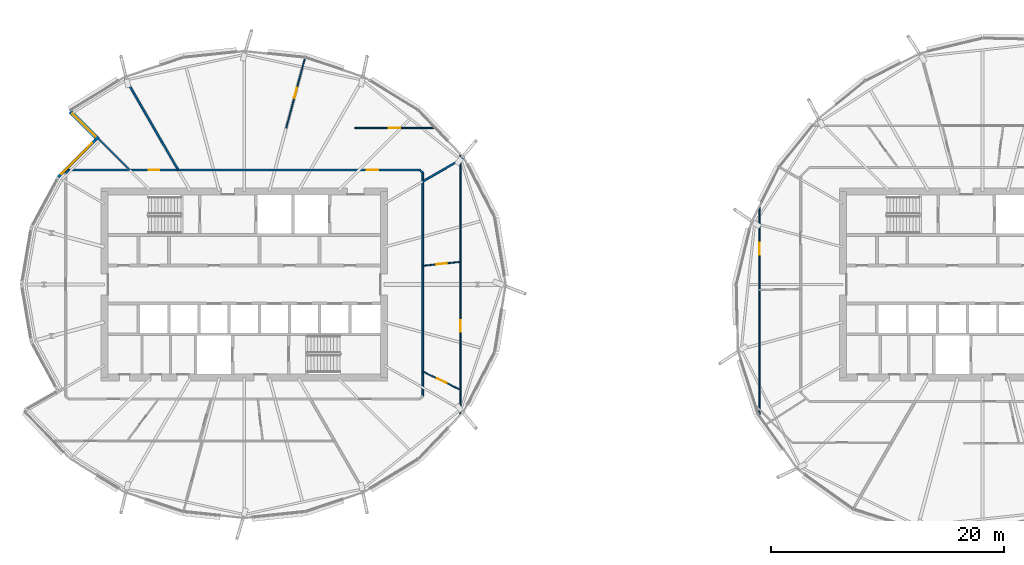
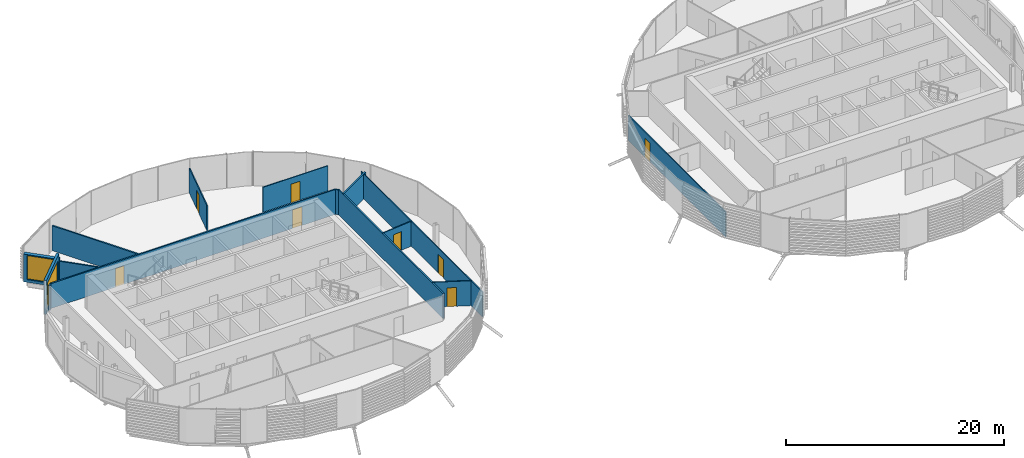
# One storey, part 21 of 37: 15 walls, 8 doors, 2 windows, 10 openings.
"""IFC4 building model written with IfcOpenShell, lengths in metres."""

from ifc_helpers import new_model, si_unit, direction, frame, frame_2d, origin, place, context, subcontext, project, spatial, rectangle, extrude, material, layer, layer_set, type_object, element, fill, save


model = new_model("IFC4")

# Units and contexts
model_context = context("Model", 3, precision=1e-05, world=origin(), true_north=direction((0.0, 1.0)))
body_context = subcontext(model_context, "Body", "Model", "MODEL_VIEW")
ifc_project = project(units=[si_unit("LENGTHUNIT", "METRE"), si_unit("AREAUNIT", "SQUARE_METRE"), si_unit("VOLUMEUNIT", "CUBIC_METRE"), si_unit("PLANEANGLEUNIT", "RADIAN"), si_unit("MASSUNIT", "GRAM", prefix="KILO")], contexts=[model_context])

# Site, building, storey
site_placement = place(None, origin())
site = spatial("IfcSite", under=ifc_project, at=site_placement, CompositionType="ELEMENT")
building_placement = place(site_placement, origin())
building = spatial("IfcBuilding", under=site, at=building_placement, Name="Rimbun Link Towers", CompositionType="ELEMENT")
storey_placement = place(building_placement, frame((0.0, 0.0, 162.699951171875)))
storey = spatial("IfcBuildingStorey", under=building, at=storey_placement, Name="L39", CompositionType="ELEMENT", Elevation=162.699951171875)

# Wall, opening, window
ifc_material_1 = material(Name="Dark enamelled glass spandrel on insulated aluminium backpan", Category="aluminium")
ifc_layer_1 = layer(ifc_material_1, 0.25)
ifc_layer_set_1 = layer_set([ifc_layer_1], Name="CS dark enamelled spandrel wall 250")
wall_type_1 = type_object("IfcWallType", Name="CS dark enamelled spandrel wall 250", PredefinedType="STANDARD", material=ifc_layer_set_1)
wall_1_placement = place(storey_placement, frame((-47.7470703125, 9.252685546875, 0.0), z_axis=(0.0, 0.0, 1.0), x_axis=(0.706701477336, 0.707511852855, 0.0)))
wall_1 = element("IfcWall", 1, at=wall_1_placement, inside=storey, type_object=wall_type_1, Name="Crease spandrel wall", PredefinedType="STANDARD", context=body_context, shape_type="SweptSolid", body=[
    extrude(rectangle(XDim=4.51904296875, YDim=0.25, at=frame_2d((2.259521484375, 0.0))), origin(), (0.0, 0.0, 1.0), 3.800048828125),
])
opening_1_placement = place(wall_1_placement, frame((0.384521484375, 0.0, 0.300048828125)))
opening_1 = element("IfcOpeningElement", 2, at=opening_1_placement, cuts=wall_1, Name="Opening WR38H295", PredefinedType="OPENING", context=body_context, shape_type="SweptSolid", body=[
    extrude(rectangle(XDim=3.75, YDim=2.949951171875, at=frame_2d((1.875, 1.47509765625))), frame((0.0, 0.135009765625, 0.0), z_axis=(0.0, -1.0, 0.0), x_axis=(1.0, 0.0, 0.0)), (0.0, 0.0, 1.0), 0.27001953125),
])
ifc_material_2 = material(Name="Aluminium framed fixed window, dark tinted low-e glass", Category="aluminium")
window_type_1 = type_object("IfcWindowType", Name="WR ribbon window 3750X2950", PartitioningType="SINGLE_PANEL", PredefinedType="WINDOW", material=ifc_material_2)
window_1_placement = place(opening_1_placement, origin())
window_1 = element("IfcWindow", 3, at=window_1_placement, inside=storey, type_object=window_type_1, Name="Crease ribbon window", OverallHeight=2.949951171875, OverallWidth=3.75, PartitioningType="SINGLE_PANEL", PredefinedType="WINDOW", context=body_context, shape_type="SweptSolid", body=[
    extrude(rectangle(XDim=3.75, YDim=2.949951171875, at=frame_2d((1.875, 1.47509765625))), frame((0.0, 0.030029296875, 0.0), z_axis=(0.0, -1.0, 0.0), x_axis=(1.0, 0.0, 0.0)), (0.0, 0.0, 1.0), 0.06005859375),
])
fill(opening_1, window_1)

ifc_material_3 = material(Name="Dark enamelled glass spandrel on insulated aluminium backpan", Category="aluminium")
ifc_layer_2 = layer(ifc_material_3, 0.3701171875)
ifc_layer_set_2 = layer_set([ifc_layer_2], Name="CS dark enamelled spandrel wall 370")
wall_type_2 = type_object("IfcWallType", Name="CS dark enamelled spandrel wall 370", PredefinedType="STANDARD", material=ifc_layer_set_2)
wall_2_placement = place(storey_placement, frame((-44.33447265625, 12.492431640625, 0.0), z_axis=(0.0, 0.0, 1.0), x_axis=(-0.707106781187, 0.707106781187, 0.0)))
wall_2 = element("IfcWall", 4, at=wall_2_placement, inside=storey, type_object=wall_type_2, Name="Crease spandrel wall", PredefinedType="STANDARD", context=body_context, shape_type="SweptSolid", body=[
    extrude(rectangle(XDim=3.380126953125, YDim=0.3701171875, at=frame_2d((1.68994140625, 0.0))), origin(), (0.0, 0.0, 1.0), 3.10693359375),
])
opening_2_placement = place(wall_2_placement, frame((0.31494140625, 0.0, 0.300048828125)))
opening_2 = element("IfcOpeningElement", 5, at=opening_2_placement, cuts=wall_2, Name="Opening WR28H270", PredefinedType="OPENING", context=body_context, shape_type="SweptSolid", body=[
    extrude(rectangle(XDim=2.75, YDim=2.699951171875, at=frame_2d((1.375, 1.35009765625))), frame((0.0, 0.195068359375, 0.0), z_axis=(0.0, -1.0, 0.0), x_axis=(1.0, 0.0, 0.0)), (0.0, 0.0, 1.0), 0.39013671875),
])
ifc_material_4 = material(Name="Aluminium framed fixed window, dark tinted low-e glass", Category="aluminium")
window_type_2 = type_object("IfcWindowType", Name="WR ribbon window 2750X2700", PartitioningType="SINGLE_PANEL", PredefinedType="WINDOW", material=ifc_material_4)
window_2_placement = place(opening_2_placement, origin())
window_2 = element("IfcWindow", 6, at=window_2_placement, inside=storey, type_object=window_type_2, Name="Crease ribbon window", OverallHeight=2.699951171875, OverallWidth=2.75, PartitioningType="SINGLE_PANEL", PredefinedType="WINDOW", context=body_context, shape_type="SweptSolid", body=[
    extrude(rectangle(XDim=2.75, YDim=2.699951171875, at=frame_2d((1.375, 1.35009765625))), frame((0.0, 0.030029296875, 0.0), z_axis=(0.0, -1.0, 0.0), x_axis=(1.0, 0.0, 0.0)), (0.0, 0.0, 1.0), 0.06005859375),
])
fill(opening_2, window_2)

# Wall, openings, doors
ifc_material_5 = material(Name="Plasterboard on steel stud, mineral wool", Category="steel")
ifc_layer_3 = layer(ifc_material_5, 0.14990234375)
ifc_layer_set_3 = layer_set([ifc_layer_3], Name="Corridor wall EI 30 150 mm")
wall_type_3 = type_object("IfcWallType", Name="Corridor wall EI 30 150 mm", PredefinedType="PARTITIONING", material=ifc_layer_set_3)
wall_3_placement = place(storey_placement, frame((-46.84375, 9.85498046875, 0.0), z_axis=(0.0, 0.0, 1.0), x_axis=(1.0, 0.0, 0.0)))
wall_3 = element("IfcWall", 7, at=wall_3_placement, inside=storey, type_object=wall_type_3, Name="Corridor wall EI 30 150 mm", PredefinedType="PARTITIONING", context=body_context, shape_type="SweptSolid", body=[
    extrude(rectangle(XDim=30.1875, YDim=0.14990234375, at=frame_2d((15.09375, 0.0))), origin(), (0.0, 0.0, 1.0), 2.7890625),
])
opening_3_placement = place(wall_3_placement, frame((25.62939453125, 0.0, 0.0)))
opening_3 = element("IfcOpeningElement", 8, at=opening_3_placement, cuts=wall_3, Name="Opening D01", PredefinedType="OPENING", context=body_context, shape_type="SweptSolid", body=[
    extrude(rectangle(XDim=1.0, YDim=2.10009765625, at=frame_2d((0.5, 1.050048828125))), frame((0.0, 0.0849609375, 0.0), z_axis=(0.0, -1.0, 0.0), x_axis=(1.0, 0.0, 0.0)), (0.0, 0.0, 1.0), 0.169921875),
])
opening_4_placement = place(wall_3_placement, frame((6.871337890625, 0.0, 0.0)))
opening_4 = element("IfcOpeningElement", 9, at=opening_4_placement, cuts=wall_3, Name="Opening D02", PredefinedType="OPENING", context=body_context, shape_type="SweptSolid", body=[
    extrude(rectangle(XDim=0.89990234375, YDim=2.10009765625, at=frame_2d((0.449951171875, 1.050048828125))), frame((0.0, 0.0849609375, 0.0), z_axis=(0.0, -1.0, 0.0), x_axis=(1.0, 0.0, 0.0)), (0.0, 0.0, 1.0), 0.169921875),
])
ifc_material_6 = material(Name="Fire-resisting timber door leaf", Category="wood")
door_type_1 = type_object("IfcDoorType", Name="Fire door FD30S 1000", OperationType="NOTDEFINED", PredefinedType="DOOR", material=ifc_material_6)
door_1_placement = place(opening_3_placement, origin())
door_1 = element("IfcDoor", 10, at=door_1_placement, inside=storey, type_object=door_type_1, Name="Fire door FD30S 1000 to Tenant lobby", OperationType="SINGLE_SWING_LEFT", OverallHeight=2.10009765625, OverallWidth=1.0, PredefinedType="DOOR", context=body_context, shape_type="SweptSolid", body=[
    extrude(rectangle(XDim=1.0, YDim=2.10009765625, at=frame_2d((0.5, 1.050048828125))), frame((0.0, 0.02490234375, 0.0), z_axis=(0.0, -1.0, 0.0), x_axis=(1.0, 0.0, 0.0)), (0.0, 0.0, 1.0), 0.050048828125),
])
fill(opening_3, door_1)
ifc_material_7 = material(Name="Fire-resisting timber door leaf", Category="wood")
door_type_2 = type_object("IfcDoorType", Name="Fire door FD30S 900", OperationType="NOTDEFINED", PredefinedType="DOOR", material=ifc_material_7)
door_2_placement = place(opening_4_placement, origin())
door_2 = element("IfcDoor", 11, at=door_2_placement, inside=storey, type_object=door_type_2, Name="Fire door FD30S 900 to Print room", OperationType="SINGLE_SWING_RIGHT", OverallHeight=2.10009765625, OverallWidth=0.89990234375, PredefinedType="DOOR", context=body_context, shape_type="SweptSolid", body=[
    extrude(rectangle(XDim=0.89990234375, YDim=2.10009765625, at=frame_2d((0.449951171875, 1.050048828125))), frame((0.0, 0.02490234375, 0.0), z_axis=(0.0, -1.0, 0.0), x_axis=(1.0, 0.0, 0.0)), (0.0, 0.0, 1.0), 0.050048828125),
])
fill(opening_4, door_2)

# Walls
wall_4_placement = place(storey_placement, frame((-16.39501953125, 9.59375, 0.0), z_axis=(0.0, 0.0, 1.0), x_axis=(-0.707106781187, 0.707106781187, 0.0)))
element("IfcWall", 12, at=wall_4_placement, inside=storey, type_object=wall_type_3, Name="Corridor wall EI 30 150 mm", PredefinedType="PARTITIONING", context=body_context, shape_type="SweptSolid", body=[
    extrude(rectangle(XDim=0.369384765625, YDim=0.14990234375, at=frame_2d((0.1845703125, 0.0))), origin(), (0.0, 0.0, 1.0), 2.7890625),
])
wall_5_placement = place(storey_placement, frame((-16.39501953125, -9.59375, 0.0), z_axis=(0.0, 0.0, 1.0), x_axis=(0.0, 1.0, 0.0)))
element("IfcWall", 13, at=wall_5_placement, inside=storey, type_object=wall_type_3, Name="Corridor wall EI 30 150 mm", PredefinedType="PARTITIONING", context=body_context, shape_type="SweptSolid", body=[
    extrude(rectangle(XDim=19.1875, YDim=0.14990234375, at=frame_2d((9.59375, 0.0))), origin(), (0.0, 0.0, 1.0), 2.7890625),
])
wall_6_placement = place(storey_placement, frame((-46.84375, 9.85498046875, 0.0), z_axis=(0.0, 0.0, 1.0), x_axis=(-0.707106781187, -0.707106781187, 0.0)))
element("IfcWall", 14, at=wall_6_placement, inside=storey, type_object=wall_type_3, Name="Corridor wall EI 30 150 mm", PredefinedType="PARTITIONING", context=body_context, shape_type="SweptSolid", body=[
    extrude(rectangle(XDim=0.369384765625, YDim=0.14990234375, at=frame_2d((0.1845703125, 0.0))), origin(), (0.0, 0.0, 1.0), 2.7890625),
])

# Wall, opening, door
ifc_material_8 = material(Name="Plasterboard on steel stud", Category="steel")
ifc_layer_4 = layer(ifc_material_8, 0.10009765625)
ifc_layer_set_4 = layer_set([ifc_layer_4], Name="Plasterboard partition 100 mm")
wall_type_4 = type_object("IfcWallType", Name="Plasterboard partition 100 mm", PredefinedType="PARTITIONING", material=ifc_layer_set_4)
wall_7_placement = place(storey_placement, frame((-16.39501953125, -7.480712890625, 0.0), z_axis=(0.0, 0.0, 1.0), x_axis=(0.89899944316, -0.437949770178, 0.0)))
wall_7 = element("IfcWall", 15, at=wall_7_placement, inside=storey, type_object=wall_type_4, Name="Plasterboard partition 100 mm", PredefinedType="PARTITIONING", context=body_context, shape_type="SweptSolid", body=[
    extrude(rectangle(XDim=3.60400390625, YDim=0.10009765625, at=frame_2d((1.802001953125, 0.0))), origin(), (0.0, 0.0, 1.0), 2.7890625),
])
opening_5_placement = place(wall_7_placement, frame((1.35205078125, 0.0, 0.0)))
opening_5 = element("IfcOpeningElement", 16, at=opening_5_placement, cuts=wall_7, Name="Opening D04", PredefinedType="OPENING", context=body_context, shape_type="SweptSolid", body=[
    extrude(rectangle(XDim=0.89990234375, YDim=2.10009765625, at=frame_2d((0.449951171875, 1.050048828125))), frame((0.0, 0.06005859375, 0.0), z_axis=(0.0, -1.0, 0.0), x_axis=(1.0, 0.0, 0.0)), (0.0, 0.0, 1.0), 0.1201171875),
])
ifc_material_9 = material(Name="Timber door leaf", Category="wood")
door_type_3 = type_object("IfcDoorType", Name="Flush door 900", OperationType="NOTDEFINED", PredefinedType="DOOR", material=ifc_material_9)
door_3_placement = place(opening_5_placement, origin())
door_3 = element("IfcDoor", 17, at=door_3_placement, inside=storey, type_object=door_type_3, Name="Flush door 900 to Data room", OperationType="SINGLE_SWING_LEFT", OverallHeight=2.10009765625, OverallWidth=0.89990234375, PredefinedType="DOOR", context=body_context, shape_type="SweptSolid", body=[
    extrude(rectangle(XDim=0.89990234375, YDim=2.10009765625, at=frame_2d((0.449951171875, 1.050048828125))), frame((0.0, 0.02490234375, 0.0), z_axis=(0.0, -1.0, 0.0), x_axis=(1.0, 0.0, 0.0)), (0.0, 0.0, 1.0), 0.050048828125),
])
fill(opening_5, door_3)

wall_8_placement = place(storey_placement, frame((-13.155029296875, 11.148193359375, 0.0), z_axis=(0.0, 0.0, 1.0), x_axis=(0.0, -1.0, 0.0)))
wall_8 = element("IfcWall", 18, at=wall_8_placement, inside=storey, type_object=wall_type_4, Name="Plasterboard partition 100 mm", PredefinedType="PARTITIONING", context=body_context, shape_type="SweptSolid", body=[
    extrude(rectangle(XDim=22.29638671875, YDim=0.10009765625, at=frame_2d((11.148193359375, 0.0))), origin(), (0.0, 0.0, 1.0), 2.7890625),
])
opening_6_placement = place(wall_8_placement, frame((14.203125, 0.0, 0.0)))
opening_6 = element("IfcOpeningElement", 19, at=opening_6_placement, cuts=wall_8, Name="Opening D03", PredefinedType="OPENING", context=body_context, shape_type="SweptSolid", body=[
    extrude(rectangle(XDim=1.0, YDim=2.10009765625, at=frame_2d((0.5, 1.050048828125))), frame((0.0, 0.06005859375, 0.0), z_axis=(0.0, -1.0, 0.0), x_axis=(1.0, 0.0, 0.0)), (0.0, 0.0, 1.0), 0.1201171875),
])
ifc_material_10 = material(Name="Timber door leaf", Category="wood")
door_type_4 = type_object("IfcDoorType", Name="Flush door 1000", OperationType="NOTDEFINED", PredefinedType="DOOR", material=ifc_material_10)
door_4_placement = place(opening_6_placement, origin())
door_4 = element("IfcDoor", 20, at=door_4_placement, inside=storey, type_object=door_type_4, Name="Flush door 1000 to Trading floor", OperationType="SINGLE_SWING_LEFT", OverallHeight=2.10009765625, OverallWidth=1.0, PredefinedType="DOOR", context=body_context, shape_type="SweptSolid", body=[
    extrude(rectangle(XDim=1.0, YDim=2.10009765625, at=frame_2d((0.5, 1.050048828125))), frame((0.0, 0.02490234375, 0.0), z_axis=(0.0, -1.0, 0.0), x_axis=(1.0, 0.0, 0.0)), (0.0, 0.0, 1.0), 0.050048828125),
])
fill(opening_6, door_4)

wall_9_placement = place(storey_placement, frame((-16.39501953125, 1.609619140625, 0.0), z_axis=(0.0, 0.0, 1.0), x_axis=(0.994551757502, 0.10424395258, 0.0)))
wall_9 = element("IfcWall", 21, at=wall_9_placement, inside=storey, type_object=wall_type_4, Name="Plasterboard partition 100 mm", PredefinedType="PARTITIONING", context=body_context, shape_type="SweptSolid", body=[
    extrude(rectangle(XDim=3.2578125, YDim=0.10009765625, at=frame_2d((1.62890625, 0.0))), origin(), (0.0, 0.0, 1.0), 2.7890625),
])
opening_7_placement = place(wall_9_placement, frame((1.178955078125, 0.0, 0.0)))
opening_7 = element("IfcOpeningElement", 22, at=opening_7_placement, cuts=wall_9, Name="Opening D04", PredefinedType="OPENING", context=body_context, shape_type="SweptSolid", body=[
    extrude(rectangle(XDim=0.89990234375, YDim=2.10009765625, at=frame_2d((0.449951171875, 1.050048828125))), frame((0.0, 0.06005859375, 0.0), z_axis=(0.0, -1.0, 0.0), x_axis=(1.0, 0.0, 0.0)), (0.0, 0.0, 1.0), 0.1201171875),
])
door_5_placement = place(opening_7_placement, origin())
door_5 = element("IfcDoor", 23, at=door_5_placement, inside=storey, type_object=door_type_3, Name="Flush door 900 to Communications room", OperationType="SINGLE_SWING_RIGHT", OverallHeight=2.10009765625, OverallWidth=0.89990234375, PredefinedType="DOOR", context=body_context, shape_type="SweptSolid", body=[
    extrude(rectangle(XDim=0.89990234375, YDim=2.10009765625, at=frame_2d((0.449951171875, 1.050048828125))), frame((0.0, 0.02490234375, 0.0), z_axis=(0.0, -1.0, 0.0), x_axis=(1.0, 0.0, 0.0)), (0.0, 0.0, 1.0), 0.050048828125),
])
fill(opening_7, door_5)

wall_10_placement = place(storey_placement, frame((-22.26025390625, 13.455078125, 0.0), z_axis=(0.0, 0.0, 1.0), x_axis=(1.0, 0.0, 0.0)))
wall_10 = element("IfcWall", 24, at=wall_10_placement, inside=storey, type_object=wall_type_4, Name="Plasterboard partition 100 mm", PredefinedType="PARTITIONING", context=body_context, shape_type="SweptSolid", body=[
    extrude(rectangle(XDim=6.879150390625, YDim=0.10009765625, at=frame_2d((3.439453125, 0.0))), origin(), (0.0, 0.0, 1.0), 2.7890625),
])
opening_8_placement = place(wall_10_placement, frame((2.939697265625, 0.0, 0.0)))
opening_8 = element("IfcOpeningElement", 25, at=opening_8_placement, cuts=wall_10, Name="Opening D03", PredefinedType="OPENING", context=body_context, shape_type="SweptSolid", body=[
    extrude(rectangle(XDim=1.0, YDim=2.10009765625, at=frame_2d((0.5, 1.050048828125))), frame((0.0, 0.06005859375, 0.0), z_axis=(0.0, -1.0, 0.0), x_axis=(1.0, 0.0, 0.0)), (0.0, 0.0, 1.0), 0.1201171875),
])
door_6_placement = place(opening_8_placement, origin())
door_6 = element("IfcDoor", 26, at=door_6_placement, inside=storey, type_object=door_type_4, Name="Flush door 1000 to Open office", OperationType="SINGLE_SWING_RIGHT", OverallHeight=2.10009765625, OverallWidth=1.0, PredefinedType="DOOR", context=body_context, shape_type="SweptSolid", body=[
    extrude(rectangle(XDim=1.0, YDim=2.10009765625, at=frame_2d((0.5, 1.050048828125))), frame((0.0, 0.02490234375, 0.0), z_axis=(0.0, -1.0, 0.0), x_axis=(1.0, 0.0, 0.0)), (0.0, 0.0, 1.0), 0.050048828125),
])
fill(opening_8, door_6)

wall_11_placement = place(storey_placement, frame((-28.144775390625, 13.455078125, 0.0), z_axis=(0.0, 0.0, 1.0), x_axis=(0.25881431183, 0.965927094553, 0.0)))
wall_11 = element("IfcWall", 27, at=wall_11_placement, inside=storey, type_object=wall_type_4, Name="Plasterboard partition 100 mm", PredefinedType="PARTITIONING", context=body_context, shape_type="SweptSolid", body=[
    extrude(rectangle(XDim=6.239990234375, YDim=0.10009765625, at=frame_2d((3.1201171875, 0.0))), origin(), (0.0, 0.0, 1.0), 2.7890625),
])
opening_9_placement = place(wall_11_placement, frame((2.669921875, 0.0, 0.0)))
opening_9 = element("IfcOpeningElement", 28, at=opening_9_placement, cuts=wall_11, Name="Opening D04", PredefinedType="OPENING", context=body_context, shape_type="SweptSolid", body=[
    extrude(rectangle(XDim=0.89990234375, YDim=2.10009765625, at=frame_2d((0.449951171875, 1.050048828125))), frame((0.0, 0.06005859375, 0.0), z_axis=(0.0, -1.0, 0.0), x_axis=(1.0, 0.0, 0.0)), (0.0, 0.0, 1.0), 0.1201171875),
])
door_7_placement = place(opening_9_placement, origin())
door_7 = element("IfcDoor", 29, at=door_7_placement, inside=storey, type_object=door_type_3, Name="Flush door 900 to Project room", OperationType="SINGLE_SWING_LEFT", OverallHeight=2.10009765625, OverallWidth=0.89990234375, PredefinedType="DOOR", context=body_context, shape_type="SweptSolid", body=[
    extrude(rectangle(XDim=0.89990234375, YDim=2.10009765625, at=frame_2d((0.449951171875, 1.050048828125))), frame((0.0, 0.02490234375, 0.0), z_axis=(0.0, -1.0, 0.0), x_axis=(1.0, 0.0, 0.0)), (0.0, 0.0, 1.0), 0.050048828125),
])
fill(opening_9, door_7)

wall_12_placement = place(storey_placement, frame((12.554931640625, -11.23828125, 0.0), z_axis=(0.0, 0.0, 1.0), x_axis=(0.0, 1.0, 0.0)))
wall_12 = element("IfcWall", 30, at=wall_12_placement, inside=storey, type_object=wall_type_4, Name="Plasterboard partition 100 mm", PredefinedType="PARTITIONING", context=body_context, shape_type="SweptSolid", body=[
    extrude(rectangle(XDim=17.8828125, YDim=0.10009765625, at=frame_2d((8.94140625, 0.0))), origin(), (0.0, 0.0, 1.0), 2.7890625),
])
opening_10_placement = place(wall_12_placement, frame((13.81103515625, 0.0, 0.0)))
opening_10 = element("IfcOpeningElement", 31, at=opening_10_placement, cuts=wall_12, Name="Opening D03", PredefinedType="OPENING", context=body_context, shape_type="SweptSolid", body=[
    extrude(rectangle(XDim=1.0, YDim=2.10009765625, at=frame_2d((0.5, 1.050048828125))), frame((0.0, 0.06005859375, 0.0), z_axis=(0.0, -1.0, 0.0), x_axis=(1.0, 0.0, 0.0)), (0.0, 0.0, 1.0), 0.1201171875),
])
door_8_placement = place(opening_10_placement, origin())
door_8 = element("IfcDoor", 32, at=door_8_placement, inside=storey, type_object=door_type_4, Name="Flush door 1000 to Trading floor", OperationType="SINGLE_SWING_RIGHT", OverallHeight=2.10009765625, OverallWidth=1.0, PredefinedType="DOOR", context=body_context, shape_type="SweptSolid", body=[
    extrude(rectangle(XDim=1.0, YDim=2.10009765625, at=frame_2d((0.5, 1.050048828125))), frame((0.0, 0.02490234375, 0.0), z_axis=(0.0, -1.0, 0.0), x_axis=(1.0, 0.0, 0.0)), (0.0, 0.0, 1.0), 0.050048828125),
])
fill(opening_10, door_8)

# Walls
ifc_material_11 = material(Name="Plasterboard on steel stud, mineral wool", Category="steel")
ifc_layer_5 = layer(ifc_material_11, 0.14990234375)
ifc_layer_set_5 = layer_set([ifc_layer_5], Name="Tenancy separation wall EI 60 150 mm")
wall_type_5 = type_object("IfcWallType", Name="Tenancy separation wall EI 60 150 mm", PredefinedType="PARTITIONING", material=ifc_layer_set_5)
wall_13_placement = place(storey_placement, frame((-16.39501953125, 8.865234375, 0.0), z_axis=(0.0, 0.0, 1.0), x_axis=(0.866016868524, 0.500014783214, 0.0)))
element("IfcWall", 33, at=wall_13_placement, inside=storey, type_object=wall_type_5, Name="Tenancy separation wall EI 60 150 mm", PredefinedType="PARTITIONING", context=body_context, shape_type="SweptSolid", body=[
    extrude(rectangle(XDim=4.0244140625, YDim=0.14990234375, at=frame_2d((2.01220703125, 0.0))), origin(), (0.0, 0.0, 1.0), 2.7890625),
])
wall_14_placement = place(storey_placement, frame((-37.439697265625, 9.85498046875, 0.0), z_axis=(0.0, 0.0, 1.0), x_axis=(-0.500000222056, 0.866025275581, 0.0)))
element("IfcWall", 34, at=wall_14_placement, inside=storey, type_object=wall_type_5, Name="Tenancy separation wall EI 60 150 mm", PredefinedType="PARTITIONING", context=body_context, shape_type="SweptSolid", body=[
    extrude(rectangle(XDim=9.1806640625, YDim=0.14990234375, at=frame_2d((4.59033203125, 0.0))), origin(), (0.0, 0.0, 1.0), 2.7890625),
])
wall_15_placement = place(storey_placement, frame((-41.60498046875, 9.85498046875, 0.0), z_axis=(0.0, 0.0, 1.0), x_axis=(-0.707106781187, 0.707106781187, 0.0)))
element("IfcWall", 35, at=wall_15_placement, inside=storey, type_object=wall_type_5, Name="Tenancy separation wall EI 60 150 mm", PredefinedType="PARTITIONING", context=body_context, shape_type="SweptSolid", body=[
    extrude(rectangle(XDim=3.795166015625, YDim=0.14990234375, at=frame_2d((1.8974609375, 0.0))), origin(), (0.0, 0.0, 1.0), 2.7890625),
])

save(model, "model.ifc")
